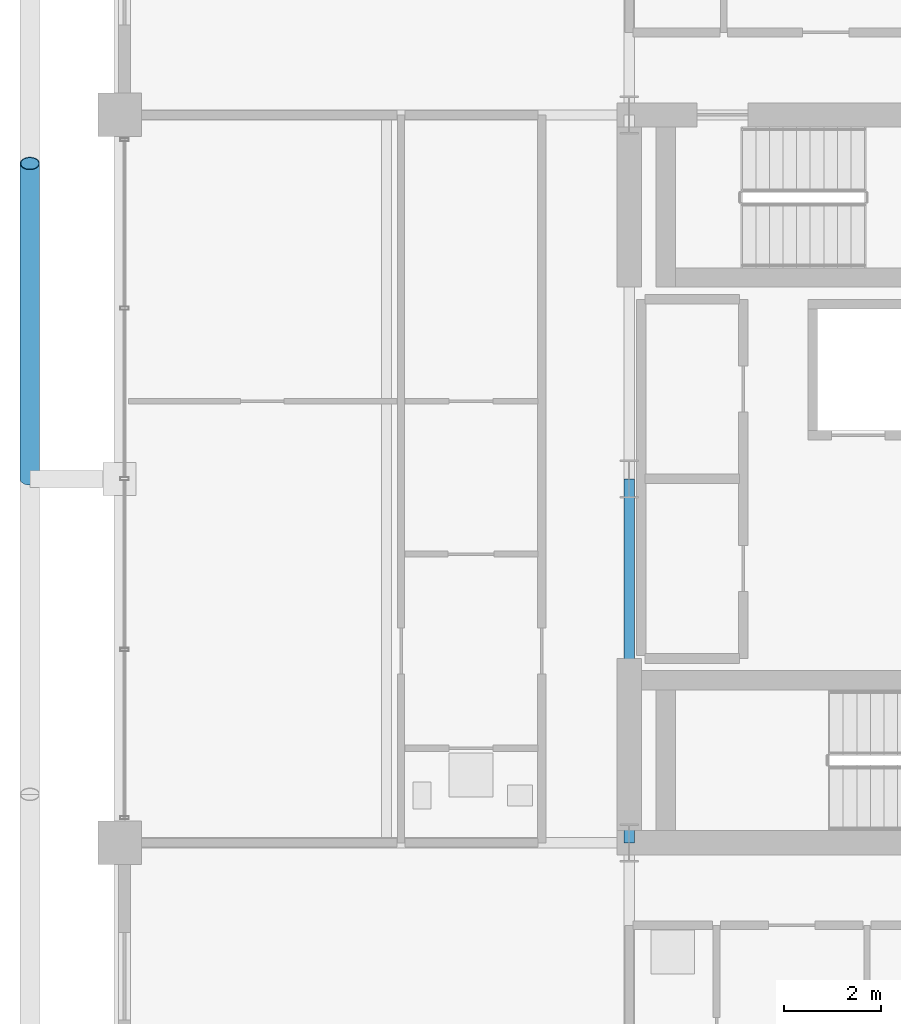
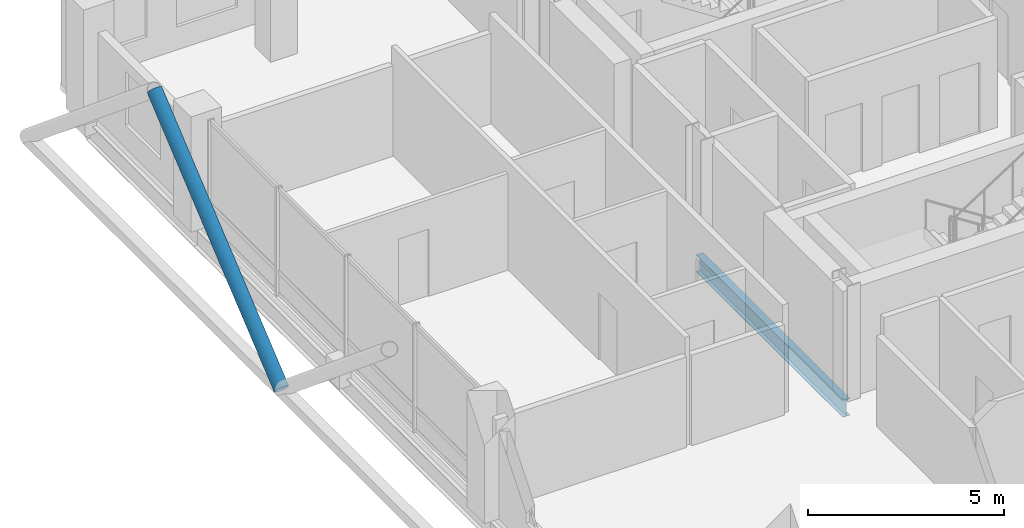
# One storey, part 9 of 25: 1 beam, 1 member.
"""IFC4 building model written with IfcOpenShell, lengths in metres."""

from ifc_helpers import new_model, si_unit, direction, frame, origin, origin_2d, place, context, subcontext, project, spatial, hollow_circle, i_section, extrude, material, material_profile, profile_set, type_object, element, save


model = new_model("IFC4")

# Units and contexts
model_context = context("Model", 3, precision=1e-05, world=origin(), true_north=direction((0.0, 1.0)))
body_context = subcontext(model_context, "Body", "Model", "MODEL_VIEW")
ifc_project = project(units=[si_unit("LENGTHUNIT", "METRE"), si_unit("AREAUNIT", "SQUARE_METRE"), si_unit("VOLUMEUNIT", "CUBIC_METRE"), si_unit("PLANEANGLEUNIT", "RADIAN"), si_unit("MASSUNIT", "GRAM", prefix="KILO")], contexts=[model_context])

# Site, building, storey
site_placement = place(None, origin())
site = spatial("IfcSite", under=ifc_project, at=site_placement, CompositionType="ELEMENT")
building_placement = place(site_placement, origin())
building = spatial("IfcBuilding", under=site, at=building_placement, Name="Barlavira Tower and Art Museum", CompositionType="ELEMENT")
storey_placement = place(building_placement, frame((0.0, 0.0, 229.5)))
storey = spatial("IfcBuildingStorey", under=building, at=storey_placement, Name="L59", CompositionType="ELEMENT", Elevation=229.5)

# Member
ifc_material = material(Name="Steel S355", Category="steel")
ifc_material_profile_1 = material_profile(ifc_material, hollow_circle(Radius=0.203125, WallThickness=0.01611328125, at=origin_2d()), Name="CHS 406.4x16.0")
ifc_profile_set_1 = profile_set([ifc_material_profile_1], Name="Steel S355")
member_type = type_object("IfcMemberType", Name="Pale-Metal Exoskeleton Diagrid Tube CHS 406x16 Steel S355", PredefinedType="BRACE", material=ifc_profile_set_1)
member_placement = place(storey_placement, frame((-18.85009765625, 0.0, -0.1201171875), z_axis=(0.0, 0.76918185268, 0.639029950399), x_axis=(-1.0, 0.0, 0.0)))
element("IfcMember", 1, at=member_placement, inside=storey, type_object=member_type, Name="L59 Exoskeleton Diagrid Tube W", PredefinedType="BRACE", context=body_context, shape_type="SweptSolid", body=[
    extrude(hollow_circle(Radius=0.203125, WallThickness=0.01611328125, at=origin_2d()), origin(), (0.0, 0.0, 1.0), 8.450439453125),
])

# Beam
ifc_material_profile_2 = material_profile(ifc_material, i_section(OverallWidth=0.2109375, OverallDepth=0.5390625, WebThickness=0.01171875, FlangeThickness=0.018798828125, at=origin_2d()), Name="W530x109.0")
ifc_profile_set_2 = profile_set([ifc_material_profile_2], Name="Steel S355")
beam_type = type_object("IfcBeamType", Name="Zone 3-4 Primary Floor Girder W530x109 Steel S355", PredefinedType="BEAM", material=ifc_profile_set_2)
beam_placement = place(storey_placement, frame((-6.5, -7.5, -0.489501953125), z_axis=(0.0, 1.0, 0.0), x_axis=(-1.0, 0.0, 0.0)))
element("IfcBeam", 2, at=beam_placement, inside=storey, type_object=beam_type, Name="L59 Girder C-W1", PredefinedType="BEAM", context=body_context, shape_type="SweptSolid", body=[
    extrude(i_section(OverallWidth=0.2109375, OverallDepth=0.5390625, WebThickness=0.01171875, FlangeThickness=0.018798828125, at=origin_2d()), origin(), (0.0, 0.0, 1.0), 7.5),
])

save(model, "model.ifc")
